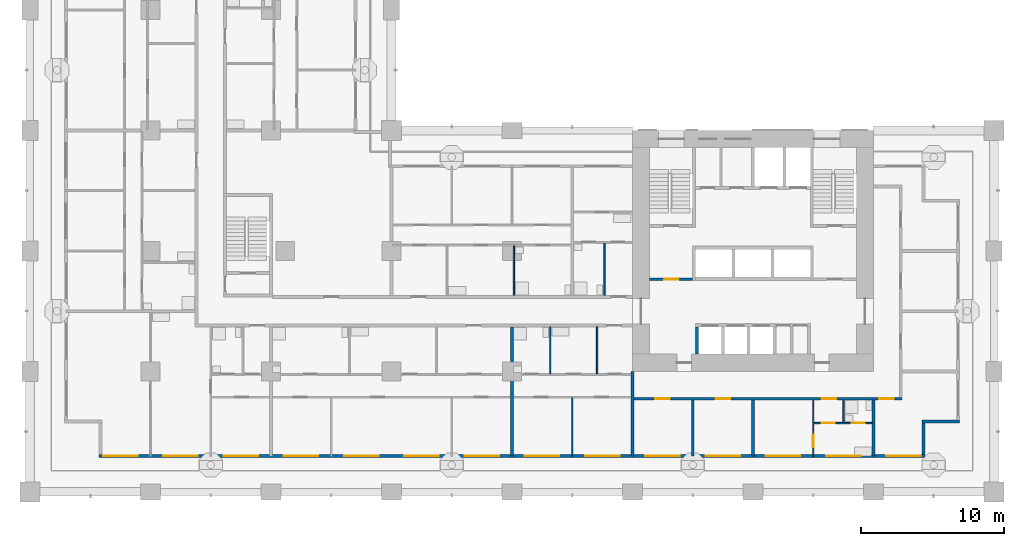
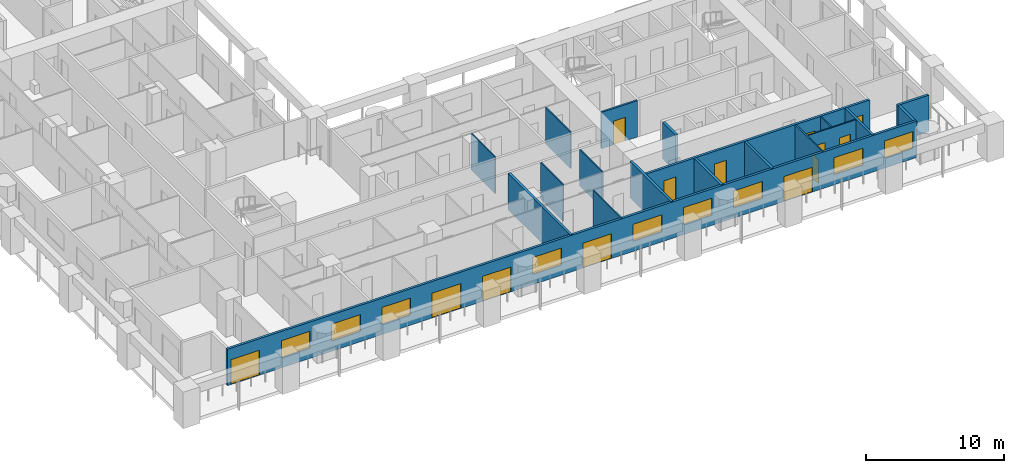
# One storey, part 5 of 20: 19 walls, 13 doors, 9 windows, 22 openings.
"""IFC4 building model written with IfcOpenShell, lengths in metres."""

from ifc_helpers import new_model, si_unit, direction, frame, frame_2d, origin, place, context, subcontext, project, spatial, rectangle, extrude, material, layer, layer_set, type_object, element, fill, save


model = new_model("IFC4")

# Units and contexts
model_context = context("Model", 3, precision=1e-05, world=origin(), true_north=direction((0.0, 1.0)))
body_context = subcontext(model_context, "Body", "Model", "MODEL_VIEW")
ifc_project = project(units=[si_unit("LENGTHUNIT", "METRE"), si_unit("AREAUNIT", "SQUARE_METRE"), si_unit("VOLUMEUNIT", "CUBIC_METRE"), si_unit("PLANEANGLEUNIT", "RADIAN"), si_unit("MASSUNIT", "GRAM", prefix="KILO")], contexts=[model_context])

# Site, building, storey
site_placement = place(None, origin())
site = spatial("IfcSite", under=ifc_project, at=site_placement, CompositionType="ELEMENT")
building_placement = place(site_placement, origin())
building = spatial("IfcBuilding", under=site, at=building_placement, Name="Vermilion Gate Residences", CompositionType="ELEMENT")
storey_placement = place(building_placement, frame((0.0, 0.0, 39.199951171875)))
storey = spatial("IfcBuildingStorey", under=building, at=storey_placement, Name="L08", CompositionType="ELEMENT", Elevation=39.199951171875)

# Wall, opening, door
ifc_material_1 = material(Name="Masonry blockwork", Category="masonry")
ifc_layer_1 = layer(ifc_material_1, 0.14990234375)
ifc_layer_set_1 = layer_set([ifc_layer_1], Name="BLOCKWORK PARTITION 150 EI 120")
wall_type_1 = type_object("IfcWallType", Name="BLOCKWORK PARTITION 150 EI 120", PredefinedType="PARTITIONING", material=ifc_layer_set_1)
wall_1_placement = place(storey_placement, frame((43.199951171875, 14.824951171875, 0.0), z_axis=(0.0, 0.0, 1.0), x_axis=(1.0, 0.0, 0.0)))
wall_1 = element("IfcWall", 1, at=wall_1_placement, inside=storey, type_object=wall_type_1, Name="Core room partition A08-VW-S", PredefinedType="PARTITIONING", context=body_context, shape_type="SweptSolid", body=[
    extrude(rectangle(XDim=3.0, YDim=0.14990234375, at=frame_2d((1.5, 0.0))), origin(), (0.0, 0.0, 1.0), 3.219970703125),
])
opening_1_placement = place(wall_1_placement, frame((1.0, 0.0, 0.0)))
opening_1 = element("IfcOpeningElement", 2, at=opening_1_placement, cuts=wall_1, Name="Opening DK08014", PredefinedType="OPENING", context=body_context, shape_type="SweptSolid", body=[
    extrude(rectangle(XDim=1.0, YDim=2.10009765625, at=frame_2d((0.5, 1.050048828125))), frame((0.0, 0.0849609375, 0.0), z_axis=(0.0, -1.0, 0.0), x_axis=(1.0, 0.0, 0.0)), (0.0, 0.0, 1.0), 0.169921875),
])
ifc_material_2 = material(Name="Steel", Category="steel")
door_type_1 = type_object("IfcDoorType", Name="FIRE DOOR FD60 1000 X 2100", OperationType="SINGLE_SWING_LEFT", PredefinedType="DOOR", material=ifc_material_2)
door_1_placement = place(opening_1_placement, frame((1.0, 0.0, 0.0), z_axis=(0.0, 0.0, 1.0), x_axis=(-1.0, 0.0, 0.0)))
door_1 = element("IfcDoor", 3, at=door_1_placement, inside=storey, type_object=door_type_1, Name="Stair vestibule door A08", OperationType="SINGLE_SWING_RIGHT", OverallHeight=2.10009765625, OverallWidth=1.0, PredefinedType="DOOR", context=body_context, shape_type="SweptSolid", body=[
    extrude(rectangle(XDim=1.0, YDim=2.10009765625, at=frame_2d((0.5, 1.050048828125))), frame((0.0, 0.02490234375, 0.0), z_axis=(0.0, -1.0, 0.0), x_axis=(1.0, 0.0, 0.0)), (0.0, 0.0, 1.0), 0.050048828125),
])
fill(opening_1, door_1)

# Wall, openings, doors, windows
ifc_material_3 = material(Name="Insulated steel stud wall with terracotta rainscreen", Category="masonry")
ifc_layer_2 = layer(ifc_material_3, 0.199951171875)
ifc_layer_set_2 = layer_set([ifc_layer_2], Name="EXTERNAL WALL 200 TERRACOTTA RAINSCREEN")
wall_type_2 = type_object("IfcWallType", Name="EXTERNAL WALL 200 TERRACOTTA RAINSCREEN", PredefinedType="SOLIDWALL", material=ifc_layer_set_2)
wall_2_placement = place(storey_placement, frame((4.800048828125, 2.5, 0.0), z_axis=(0.0, 0.0, 1.0), x_axis=(1.0, 0.0, 0.0)))
wall_2 = element("IfcWall", 4, at=wall_2_placement, inside=storey, type_object=wall_type_2, Name="External wall", PredefinedType="SOLIDWALL", context=body_context, shape_type="SweptSolid", body=[
    extrude(rectangle(XDim=57.599853515625, YDim=0.199951171875, at=frame_2d((28.7998046875, 0.0))), origin(), (0.0, 0.0, 1.0), 3.219970703125),
])
opening_2_placement = place(wall_2_placement, frame((0.300048828125, 0.0, 0.0)))
opening_2 = element("IfcOpeningElement", 5, at=opening_2_placement, cuts=wall_2, Name="Opening DE08014", PredefinedType="OPENING", context=body_context, shape_type="SweptSolid", body=[
    extrude(rectangle(XDim=2.39990234375, YDim=2.199951171875, at=frame_2d((1.199951171875, 1.10009765625))), frame((0.0, 0.10986328125, 0.0), z_axis=(0.0, -1.0, 0.0), x_axis=(1.0, 0.0, 0.0)), (0.0, 0.0, 1.0), 0.219970703125),
])
opening_3_placement = place(wall_2_placement, frame((4.5, 0.0, 0.89990234375)))
opening_3 = element("IfcOpeningElement", 6, at=opening_3_placement, cuts=wall_2, Name="Opening WE08015", PredefinedType="OPENING", context=body_context, shape_type="SweptSolid", body=[
    extrude(rectangle(XDim=2.39990234375, YDim=1.5, at=frame_2d((1.199951171875, 0.75))), frame((0.0, 0.10986328125, 0.0), z_axis=(0.0, -1.0, 0.0), x_axis=(1.0, 0.0, 0.0)), (0.0, 0.0, 1.0), 0.219970703125),
])
opening_4_placement = place(wall_2_placement, frame((8.699951171875, 0.0, 0.89990234375)))
opening_4 = element("IfcOpeningElement", 7, at=opening_4_placement, cuts=wall_2, Name="Opening WE08016", PredefinedType="OPENING", context=body_context, shape_type="SweptSolid", body=[
    extrude(rectangle(XDim=2.39990234375, YDim=1.5, at=frame_2d((1.199951171875, 0.75))), frame((0.0, 0.10986328125, 0.0), z_axis=(0.0, -1.0, 0.0), x_axis=(1.0, 0.0, 0.0)), (0.0, 0.0, 1.0), 0.219970703125),
])
opening_5_placement = place(wall_2_placement, frame((12.89990234375, 0.0, 0.89990234375)))
opening_5 = element("IfcOpeningElement", 8, at=opening_5_placement, cuts=wall_2, Name="Opening WE08017", PredefinedType="OPENING", context=body_context, shape_type="SweptSolid", body=[
    extrude(rectangle(XDim=2.39990234375, YDim=1.5, at=frame_2d((1.199951171875, 0.75))), frame((0.0, 0.10986328125, 0.0), z_axis=(0.0, -1.0, 0.0), x_axis=(1.0, 0.0, 0.0)), (0.0, 0.0, 1.0), 0.219970703125),
])
opening_6_placement = place(wall_2_placement, frame((17.10009765625, 0.0, 0.0)))
opening_6 = element("IfcOpeningElement", 9, at=opening_6_placement, cuts=wall_2, Name="Opening DE08018", PredefinedType="OPENING", context=body_context, shape_type="SweptSolid", body=[
    extrude(rectangle(XDim=2.39990234375, YDim=2.199951171875, at=frame_2d((1.199951171875, 1.10009765625))), frame((0.0, 0.10986328125, 0.0), z_axis=(0.0, -1.0, 0.0), x_axis=(1.0, 0.0, 0.0)), (0.0, 0.0, 1.0), 0.219970703125),
])
opening_7_placement = place(wall_2_placement, frame((21.300048828125, 0.0, 0.0)))
opening_7 = element("IfcOpeningElement", 10, at=opening_7_placement, cuts=wall_2, Name="Opening DE08019", PredefinedType="OPENING", context=body_context, shape_type="SweptSolid", body=[
    extrude(rectangle(XDim=2.39990234375, YDim=2.199951171875, at=frame_2d((1.199951171875, 1.10009765625))), frame((0.0, 0.10986328125, 0.0), z_axis=(0.0, -1.0, 0.0), x_axis=(1.0, 0.0, 0.0)), (0.0, 0.0, 1.0), 0.219970703125),
])
opening_8_placement = place(wall_2_placement, frame((25.5, 0.0, 0.89990234375)))
opening_8 = element("IfcOpeningElement", 11, at=opening_8_placement, cuts=wall_2, Name="Opening WE08020", PredefinedType="OPENING", context=body_context, shape_type="SweptSolid", body=[
    extrude(rectangle(XDim=2.39990234375, YDim=1.5, at=frame_2d((1.199951171875, 0.75))), frame((0.0, 0.10986328125, 0.0), z_axis=(0.0, -1.0, 0.0), x_axis=(1.0, 0.0, 0.0)), (0.0, 0.0, 1.0), 0.219970703125),
])
opening_9_placement = place(wall_2_placement, frame((29.699951171875, 0.0, 0.0)))
opening_9 = element("IfcOpeningElement", 12, at=opening_9_placement, cuts=wall_2, Name="Opening DE08021", PredefinedType="OPENING", context=body_context, shape_type="SweptSolid", body=[
    extrude(rectangle(XDim=2.39990234375, YDim=2.199951171875, at=frame_2d((1.199951171875, 1.10009765625))), frame((0.0, 0.10986328125, 0.0), z_axis=(0.0, -1.0, 0.0), x_axis=(1.0, 0.0, 0.0)), (0.0, 0.0, 1.0), 0.219970703125),
])
opening_10_placement = place(wall_2_placement, frame((33.89990234375, 0.0, 0.89990234375)))
opening_10 = element("IfcOpeningElement", 13, at=opening_10_placement, cuts=wall_2, Name="Opening WE08022", PredefinedType="OPENING", context=body_context, shape_type="SweptSolid", body=[
    extrude(rectangle(XDim=2.39990234375, YDim=1.5, at=frame_2d((1.199951171875, 0.75))), frame((0.0, 0.10986328125, 0.0), z_axis=(0.0, -1.0, 0.0), x_axis=(1.0, 0.0, 0.0)), (0.0, 0.0, 1.0), 0.219970703125),
])
opening_11_placement = place(wall_2_placement, frame((38.10009765625, 0.0, 0.89990234375)))
opening_11 = element("IfcOpeningElement", 14, at=opening_11_placement, cuts=wall_2, Name="Opening WE08023", PredefinedType="OPENING", context=body_context, shape_type="SweptSolid", body=[
    extrude(rectangle(XDim=2.39990234375, YDim=1.5, at=frame_2d((1.199951171875, 0.75))), frame((0.0, 0.10986328125, 0.0), z_axis=(0.0, -1.0, 0.0), x_axis=(1.0, 0.0, 0.0)), (0.0, 0.0, 1.0), 0.219970703125),
])
opening_12_placement = place(wall_2_placement, frame((42.300048828125, 0.0, 0.89990234375)))
opening_12 = element("IfcOpeningElement", 15, at=opening_12_placement, cuts=wall_2, Name="Opening WE08024", PredefinedType="OPENING", context=body_context, shape_type="SweptSolid", body=[
    extrude(rectangle(XDim=2.39990234375, YDim=1.5, at=frame_2d((1.199951171875, 0.75))), frame((0.0, 0.10986328125, 0.0), z_axis=(0.0, -1.0, 0.0), x_axis=(1.0, 0.0, 0.0)), (0.0, 0.0, 1.0), 0.219970703125),
])
opening_13_placement = place(wall_2_placement, frame((46.5, 0.0, 0.0)))
opening_13 = element("IfcOpeningElement", 16, at=opening_13_placement, cuts=wall_2, Name="Opening DE08025", PredefinedType="OPENING", context=body_context, shape_type="SweptSolid", body=[
    extrude(rectangle(XDim=2.39990234375, YDim=2.199951171875, at=frame_2d((1.199951171875, 1.10009765625))), frame((0.0, 0.10986328125, 0.0), z_axis=(0.0, -1.0, 0.0), x_axis=(1.0, 0.0, 0.0)), (0.0, 0.0, 1.0), 0.219970703125),
])
opening_14_placement = place(wall_2_placement, frame((50.699951171875, 0.0, 0.89990234375)))
opening_14 = element("IfcOpeningElement", 17, at=opening_14_placement, cuts=wall_2, Name="Opening WE08026", PredefinedType="OPENING", context=body_context, shape_type="SweptSolid", body=[
    extrude(rectangle(XDim=2.39990234375, YDim=1.5, at=frame_2d((1.199951171875, 0.75))), frame((0.0, 0.10986328125, 0.0), z_axis=(0.0, -1.0, 0.0), x_axis=(1.0, 0.0, 0.0)), (0.0, 0.0, 1.0), 0.219970703125),
])
opening_15_placement = place(wall_2_placement, frame((54.89990234375, 0.0, 0.89990234375)))
opening_15 = element("IfcOpeningElement", 18, at=opening_15_placement, cuts=wall_2, Name="Opening WE08027", PredefinedType="OPENING", context=body_context, shape_type="SweptSolid", body=[
    extrude(rectangle(XDim=2.39990234375, YDim=1.5, at=frame_2d((1.199951171875, 0.75))), frame((0.0, 0.10986328125, 0.0), z_axis=(0.0, -1.0, 0.0), x_axis=(1.0, 0.0, 0.0)), (0.0, 0.0, 1.0), 0.219970703125),
])
ifc_material_4 = material(Name="Aluminium and clear glass", Category="aluminium")
door_type_2 = type_object("IfcDoorType", Name="SLIDING GLAZED DOOR 2400 X 2200", OperationType="DOUBLE_DOOR_SLIDING", PredefinedType="DOOR", material=ifc_material_4)
door_2_placement = place(opening_2_placement, origin())
door_2 = element("IfcDoor", 19, at=door_2_placement, inside=storey, type_object=door_type_2, Name="Loggia sliding door", OperationType="DOUBLE_DOOR_SLIDING", OverallHeight=2.199951171875, OverallWidth=2.39990234375, PredefinedType="DOOR", context=body_context, shape_type="SweptSolid", body=[
    extrude(rectangle(XDim=2.39990234375, YDim=2.199951171875, at=frame_2d((1.199951171875, 1.10009765625))), frame((0.0, 0.02490234375, 0.0), z_axis=(0.0, -1.0, 0.0), x_axis=(1.0, 0.0, 0.0)), (0.0, 0.0, 1.0), 0.050048828125),
])
fill(opening_2, door_2)
door_3_placement = place(opening_6_placement, origin())
door_3 = element("IfcDoor", 20, at=door_3_placement, inside=storey, type_object=door_type_2, Name="Loggia sliding door", OperationType="DOUBLE_DOOR_SLIDING", OverallHeight=2.199951171875, OverallWidth=2.39990234375, PredefinedType="DOOR", context=body_context, shape_type="SweptSolid", body=[
    extrude(rectangle(XDim=2.39990234375, YDim=2.199951171875, at=frame_2d((1.199951171875, 1.10009765625))), frame((0.0, 0.02490234375, 0.0), z_axis=(0.0, -1.0, 0.0), x_axis=(1.0, 0.0, 0.0)), (0.0, 0.0, 1.0), 0.050048828125),
])
fill(opening_6, door_3)
door_4_placement = place(opening_7_placement, origin())
door_4 = element("IfcDoor", 21, at=door_4_placement, inside=storey, type_object=door_type_2, Name="Loggia sliding door", OperationType="DOUBLE_DOOR_SLIDING", OverallHeight=2.199951171875, OverallWidth=2.39990234375, PredefinedType="DOOR", context=body_context, shape_type="SweptSolid", body=[
    extrude(rectangle(XDim=2.39990234375, YDim=2.199951171875, at=frame_2d((1.199951171875, 1.10009765625))), frame((0.0, 0.02490234375, 0.0), z_axis=(0.0, -1.0, 0.0), x_axis=(1.0, 0.0, 0.0)), (0.0, 0.0, 1.0), 0.050048828125),
])
fill(opening_7, door_4)
door_5_placement = place(opening_9_placement, origin())
door_5 = element("IfcDoor", 22, at=door_5_placement, inside=storey, type_object=door_type_2, Name="Loggia sliding door", OperationType="DOUBLE_DOOR_SLIDING", OverallHeight=2.199951171875, OverallWidth=2.39990234375, PredefinedType="DOOR", context=body_context, shape_type="SweptSolid", body=[
    extrude(rectangle(XDim=2.39990234375, YDim=2.199951171875, at=frame_2d((1.199951171875, 1.10009765625))), frame((0.0, 0.02490234375, 0.0), z_axis=(0.0, -1.0, 0.0), x_axis=(1.0, 0.0, 0.0)), (0.0, 0.0, 1.0), 0.050048828125),
])
fill(opening_9, door_5)
door_6_placement = place(opening_13_placement, origin())
door_6 = element("IfcDoor", 23, at=door_6_placement, inside=storey, type_object=door_type_2, Name="Loggia sliding door", OperationType="DOUBLE_DOOR_SLIDING", OverallHeight=2.199951171875, OverallWidth=2.39990234375, PredefinedType="DOOR", context=body_context, shape_type="SweptSolid", body=[
    extrude(rectangle(XDim=2.39990234375, YDim=2.199951171875, at=frame_2d((1.199951171875, 1.10009765625))), frame((0.0, 0.02490234375, 0.0), z_axis=(0.0, -1.0, 0.0), x_axis=(1.0, 0.0, 0.0)), (0.0, 0.0, 1.0), 0.050048828125),
])
fill(opening_13, door_6)
ifc_material_5 = material(Name="Aluminium and clear glass", Category="aluminium")
window_type = type_object("IfcWindowType", Name="WINDOW 2400 X 1500", PartitioningType="SINGLE_PANEL", PredefinedType="WINDOW", material=ifc_material_5)
window_1_placement = place(opening_3_placement, origin())
window_1 = element("IfcWindow", 24, at=window_1_placement, inside=storey, type_object=window_type, Name="Window", OverallHeight=1.5, OverallWidth=2.39990234375, PartitioningType="SINGLE_PANEL", PredefinedType="WINDOW", context=body_context, shape_type="SweptSolid", body=[
    extrude(rectangle(XDim=2.39990234375, YDim=1.5, at=frame_2d((1.199951171875, 0.75))), frame((0.0, 0.030029296875, 0.0), z_axis=(0.0, -1.0, 0.0), x_axis=(1.0, 0.0, 0.0)), (0.0, 0.0, 1.0), 0.06005859375),
])
fill(opening_3, window_1)
window_2_placement = place(opening_4_placement, origin())
window_2 = element("IfcWindow", 25, at=window_2_placement, inside=storey, type_object=window_type, Name="Window", OverallHeight=1.5, OverallWidth=2.39990234375, PartitioningType="SINGLE_PANEL", PredefinedType="WINDOW", context=body_context, shape_type="SweptSolid", body=[
    extrude(rectangle(XDim=2.39990234375, YDim=1.5, at=frame_2d((1.199951171875, 0.75))), frame((0.0, 0.030029296875, 0.0), z_axis=(0.0, -1.0, 0.0), x_axis=(1.0, 0.0, 0.0)), (0.0, 0.0, 1.0), 0.06005859375),
])
fill(opening_4, window_2)
window_3_placement = place(opening_5_placement, origin())
window_3 = element("IfcWindow", 26, at=window_3_placement, inside=storey, type_object=window_type, Name="Window", OverallHeight=1.5, OverallWidth=2.39990234375, PartitioningType="SINGLE_PANEL", PredefinedType="WINDOW", context=body_context, shape_type="SweptSolid", body=[
    extrude(rectangle(XDim=2.39990234375, YDim=1.5, at=frame_2d((1.199951171875, 0.75))), frame((0.0, 0.030029296875, 0.0), z_axis=(0.0, -1.0, 0.0), x_axis=(1.0, 0.0, 0.0)), (0.0, 0.0, 1.0), 0.06005859375),
])
fill(opening_5, window_3)
window_4_placement = place(opening_8_placement, origin())
window_4 = element("IfcWindow", 27, at=window_4_placement, inside=storey, type_object=window_type, Name="Window", OverallHeight=1.5, OverallWidth=2.39990234375, PartitioningType="SINGLE_PANEL", PredefinedType="WINDOW", context=body_context, shape_type="SweptSolid", body=[
    extrude(rectangle(XDim=2.39990234375, YDim=1.5, at=frame_2d((1.199951171875, 0.75))), frame((0.0, 0.030029296875, 0.0), z_axis=(0.0, -1.0, 0.0), x_axis=(1.0, 0.0, 0.0)), (0.0, 0.0, 1.0), 0.06005859375),
])
fill(opening_8, window_4)
window_5_placement = place(opening_10_placement, origin())
window_5 = element("IfcWindow", 28, at=window_5_placement, inside=storey, type_object=window_type, Name="Window", OverallHeight=1.5, OverallWidth=2.39990234375, PartitioningType="SINGLE_PANEL", PredefinedType="WINDOW", context=body_context, shape_type="SweptSolid", body=[
    extrude(rectangle(XDim=2.39990234375, YDim=1.5, at=frame_2d((1.199951171875, 0.75))), frame((0.0, 0.030029296875, 0.0), z_axis=(0.0, -1.0, 0.0), x_axis=(1.0, 0.0, 0.0)), (0.0, 0.0, 1.0), 0.06005859375),
])
fill(opening_10, window_5)
window_6_placement = place(opening_11_placement, origin())
window_6 = element("IfcWindow", 29, at=window_6_placement, inside=storey, type_object=window_type, Name="Window", OverallHeight=1.5, OverallWidth=2.39990234375, PartitioningType="SINGLE_PANEL", PredefinedType="WINDOW", context=body_context, shape_type="SweptSolid", body=[
    extrude(rectangle(XDim=2.39990234375, YDim=1.5, at=frame_2d((1.199951171875, 0.75))), frame((0.0, 0.030029296875, 0.0), z_axis=(0.0, -1.0, 0.0), x_axis=(1.0, 0.0, 0.0)), (0.0, 0.0, 1.0), 0.06005859375),
])
fill(opening_11, window_6)
window_7_placement = place(opening_12_placement, origin())
window_7 = element("IfcWindow", 30, at=window_7_placement, inside=storey, type_object=window_type, Name="Window", OverallHeight=1.5, OverallWidth=2.39990234375, PartitioningType="SINGLE_PANEL", PredefinedType="WINDOW", context=body_context, shape_type="SweptSolid", body=[
    extrude(rectangle(XDim=2.39990234375, YDim=1.5, at=frame_2d((1.199951171875, 0.75))), frame((0.0, 0.030029296875, 0.0), z_axis=(0.0, -1.0, 0.0), x_axis=(1.0, 0.0, 0.0)), (0.0, 0.0, 1.0), 0.06005859375),
])
fill(opening_12, window_7)
window_8_placement = place(opening_14_placement, origin())
window_8 = element("IfcWindow", 31, at=window_8_placement, inside=storey, type_object=window_type, Name="Window", OverallHeight=1.5, OverallWidth=2.39990234375, PartitioningType="SINGLE_PANEL", PredefinedType="WINDOW", context=body_context, shape_type="SweptSolid", body=[
    extrude(rectangle(XDim=2.39990234375, YDim=1.5, at=frame_2d((1.199951171875, 0.75))), frame((0.0, 0.030029296875, 0.0), z_axis=(0.0, -1.0, 0.0), x_axis=(1.0, 0.0, 0.0)), (0.0, 0.0, 1.0), 0.06005859375),
])
fill(opening_14, window_8)
window_9_placement = place(opening_15_placement, origin())
window_9 = element("IfcWindow", 32, at=window_9_placement, inside=storey, type_object=window_type, Name="Window", OverallHeight=1.5, OverallWidth=2.39990234375, PartitioningType="SINGLE_PANEL", PredefinedType="WINDOW", context=body_context, shape_type="SweptSolid", body=[
    extrude(rectangle(XDim=2.39990234375, YDim=1.5, at=frame_2d((1.199951171875, 0.75))), frame((0.0, 0.030029296875, 0.0), z_axis=(0.0, -1.0, 0.0), x_axis=(1.0, 0.0, 0.0)), (0.0, 0.0, 1.0), 0.06005859375),
])
fill(opening_15, window_9)

# Walls
wall_3_placement = place(storey_placement, frame((62.300048828125, 2.60009765625, 0.0), z_axis=(0.0, 0.0, 1.0), x_axis=(0.0, 1.0, 0.0)))
element("IfcWall", 33, at=wall_3_placement, inside=storey, type_object=wall_type_2, Name="External wall", PredefinedType="SOLIDWALL", context=body_context, shape_type="SweptSolid", body=[
    extrude(rectangle(XDim=2.199951171875, YDim=0.199951171875, at=frame_2d((1.10009765625, 0.0))), origin(), (0.0, 0.0, 1.0), 3.219970703125),
])
wall_4_placement = place(storey_placement, frame((62.199951171875, 4.89990234375, 0.0), z_axis=(0.0, 0.0, 1.0), x_axis=(1.0, 0.0, 0.0)))
element("IfcWall", 34, at=wall_4_placement, inside=storey, type_object=wall_type_2, Name="External wall", PredefinedType="SOLIDWALL", context=body_context, shape_type="SweptSolid", body=[
    extrude(rectangle(XDim=2.60009765625, YDim=0.199951171875, at=frame_2d((1.300048828125, 0.0))), origin(), (0.0, 0.0, 1.0), 3.219970703125),
])

# Wall, openings, doors
ifc_material_6 = material(Name="Plasterboard on steel studs", Category="steel")
ifc_layer_3 = layer(ifc_material_6, 0.10009765625)
ifc_layer_set_3 = layer_set([ifc_layer_3], Name="PARTITION 100")
wall_type_3 = type_object("IfcWallType", Name="PARTITION 100", PredefinedType="PARTITIONING", material=ifc_layer_set_3)
wall_5_placement = place(storey_placement, frame((54.64990234375, 4.800048828125, 0.0), z_axis=(0.0, 0.0, 1.0), x_axis=(1.0, 0.0, 0.0)))
wall_5 = element("IfcWall", 35, at=wall_5_placement, inside=storey, type_object=wall_type_3, Name="Partition", PredefinedType="PARTITIONING", context=body_context, shape_type="SweptSolid", body=[
    extrude(rectangle(XDim=4.050048828125, YDim=0.10009765625, at=frame_2d((2.02490234375, 0.0))), origin(), (0.0, 0.0, 1.0), 3.219970703125),
])
opening_16_placement = place(wall_5_placement, frame((0.550048828125, 0.0, 0.0)))
opening_16 = element("IfcOpeningElement", 36, at=opening_16_placement, cuts=wall_5, Name="Opening DA07001", PredefinedType="OPENING", context=body_context, shape_type="SweptSolid", body=[
    extrude(rectangle(XDim=0.89990234375, YDim=2.10009765625, at=frame_2d((0.449951171875, 1.050048828125))), frame((0.0, 0.06005859375, 0.0), z_axis=(0.0, -1.0, 0.0), x_axis=(1.0, 0.0, 0.0)), (0.0, 0.0, 1.0), 0.1201171875),
])
opening_17_placement = place(wall_5_placement, frame((2.64990234375, 0.0, 0.0)))
opening_17 = element("IfcOpeningElement", 37, at=opening_17_placement, cuts=wall_5, Name="Opening DA07002", PredefinedType="OPENING", context=body_context, shape_type="SweptSolid", body=[
    extrude(rectangle(XDim=0.89990234375, YDim=2.10009765625, at=frame_2d((0.449951171875, 1.050048828125))), frame((0.0, 0.06005859375, 0.0), z_axis=(0.0, -1.0, 0.0), x_axis=(1.0, 0.0, 0.0)), (0.0, 0.0, 1.0), 0.1201171875),
])
ifc_material_7 = material(Name="Timber", Category="wood")
door_type_3 = type_object("IfcDoorType", Name="INTERIOR DOOR 900 X 2100", OperationType="SINGLE_SWING_LEFT", PredefinedType="DOOR", material=ifc_material_7)
door_7_placement = place(opening_16_placement, frame((0.89990234375, 0.0, 0.0), z_axis=(0.0, 0.0, 1.0), x_axis=(-1.0, 0.0, 0.0)))
door_7 = element("IfcDoor", 38, at=door_7_placement, inside=storey, type_object=door_type_3, Name="Interior door", OperationType="SINGLE_SWING_RIGHT", OverallHeight=2.10009765625, OverallWidth=0.89990234375, PredefinedType="DOOR", context=body_context, shape_type="SweptSolid", body=[
    extrude(rectangle(XDim=0.89990234375, YDim=2.10009765625, at=frame_2d((0.449951171875, 1.050048828125))), frame((0.0, 0.02490234375, 0.0), z_axis=(0.0, -1.0, 0.0), x_axis=(1.0, 0.0, 0.0)), (0.0, 0.0, 1.0), 0.050048828125),
])
fill(opening_16, door_7)
door_8_placement = place(opening_17_placement, origin())
door_8 = element("IfcDoor", 39, at=door_8_placement, inside=storey, type_object=door_type_3, Name="Interior door", OperationType="SINGLE_SWING_RIGHT", OverallHeight=2.10009765625, OverallWidth=0.89990234375, PredefinedType="DOOR", context=body_context, shape_type="SweptSolid", body=[
    extrude(rectangle(XDim=0.89990234375, YDim=2.10009765625, at=frame_2d((0.449951171875, 1.050048828125))), frame((0.0, 0.02490234375, 0.0), z_axis=(0.0, -1.0, 0.0), x_axis=(1.0, 0.0, 0.0)), (0.0, 0.0, 1.0), 0.050048828125),
])
fill(opening_17, door_8)

# Walls
wall_6_placement = place(storey_placement, frame((33.73291015625, 13.699951171875, 0.0), z_axis=(0.0, 0.0, 1.0), x_axis=(0.0, 1.0, 0.0)))
element("IfcWall", 40, at=wall_6_placement, inside=storey, type_object=wall_type_3, Name="Partition", PredefinedType="PARTITIONING", context=body_context, shape_type="SweptSolid", body=[
    extrude(rectangle(XDim=3.449951171875, YDim=0.10009765625, at=frame_2d((1.72509765625, 0.0))), origin(), (0.0, 0.0, 1.0), 3.219970703125),
])
wall_7_placement = place(storey_placement, frame((36.26708984375, 8.25, 0.0), z_axis=(0.0, 0.0, 1.0), x_axis=(0.0, 1.0, 0.0)))
element("IfcWall", 41, at=wall_7_placement, inside=storey, type_object=wall_type_3, Name="Partition", PredefinedType="PARTITIONING", context=body_context, shape_type="SweptSolid", body=[
    extrude(rectangle(XDim=3.25, YDim=0.10009765625, at=frame_2d((1.625, 0.0))), origin(), (0.0, 0.0, 1.0), 3.219970703125),
])
wall_8_placement = place(storey_placement, frame((37.800048828125, 2.5, 0.0), z_axis=(0.0, 0.0, 1.0), x_axis=(0.0, 1.0, 0.0)))
element("IfcWall", 42, at=wall_8_placement, inside=storey, type_object=wall_type_3, Name="Partition", PredefinedType="PARTITIONING", context=body_context, shape_type="SweptSolid", body=[
    extrude(rectangle(XDim=4.050048828125, YDim=0.10009765625, at=frame_2d((2.02490234375, 0.0))), origin(), (0.0, 0.0, 1.0), 3.219970703125),
])
wall_9_placement = place(storey_placement, frame((39.532958984375, 8.25, 0.0), z_axis=(0.0, 0.0, 1.0), x_axis=(0.0, 1.0, 0.0)))
element("IfcWall", 43, at=wall_9_placement, inside=storey, type_object=wall_type_3, Name="Partition", PredefinedType="PARTITIONING", context=body_context, shape_type="SweptSolid", body=[
    extrude(rectangle(XDim=3.25, YDim=0.10009765625, at=frame_2d((1.625, 0.0))), origin(), (0.0, 0.0, 1.0), 3.219970703125),
])
wall_10_placement = place(storey_placement, frame((40.0400390625, 13.699951171875, 0.0), z_axis=(0.0, 0.0, 1.0), x_axis=(0.0, 1.0, 0.0)))
element("IfcWall", 44, at=wall_10_placement, inside=storey, type_object=wall_type_3, Name="Partition", PredefinedType="PARTITIONING", context=body_context, shape_type="SweptSolid", body=[
    extrude(rectangle(XDim=3.650146484375, YDim=0.10009765625, at=frame_2d((1.8251953125, 0.0))), origin(), (0.0, 0.0, 1.0), 3.219970703125),
])

# Wall, opening, door
wall_11_placement = place(storey_placement, frame((54.60009765625, 2.5, 0.0), z_axis=(0.0, 0.0, 1.0), x_axis=(0.0, 1.0, 0.0)))
wall_11 = element("IfcWall", 45, at=wall_11_placement, inside=storey, type_object=wall_type_3, Name="Partition", PredefinedType="PARTITIONING", context=body_context, shape_type="SweptSolid", body=[
    extrude(rectangle(XDim=3.89990234375, YDim=0.10009765625, at=frame_2d((1.949951171875, 0.0))), origin(), (0.0, 0.0, 1.0), 3.219970703125),
])
opening_18_placement = place(wall_11_placement, frame((0.60009765625, 0.0, 0.0)))
opening_18 = element("IfcOpeningElement", 46, at=opening_18_placement, cuts=wall_11, Name="Opening DA07065", PredefinedType="OPENING", context=body_context, shape_type="SweptSolid", body=[
    extrude(rectangle(XDim=0.89990234375, YDim=2.10009765625, at=frame_2d((0.449951171875, 1.050048828125))), frame((0.0, 0.06005859375, 0.0), z_axis=(0.0, -1.0, 0.0), x_axis=(1.0, 0.0, 0.0)), (0.0, 0.0, 1.0), 0.1201171875),
])
door_9_placement = place(opening_18_placement, frame((0.89990234375, 0.0, 0.0), z_axis=(0.0, 0.0, 1.0), x_axis=(-1.0, 0.0, 0.0)))
door_9 = element("IfcDoor", 47, at=door_9_placement, inside=storey, type_object=door_type_3, Name="Interior door", OperationType="SINGLE_SWING_RIGHT", OverallHeight=2.10009765625, OverallWidth=0.89990234375, PredefinedType="DOOR", context=body_context, shape_type="SweptSolid", body=[
    extrude(rectangle(XDim=0.89990234375, YDim=2.10009765625, at=frame_2d((0.449951171875, 1.050048828125))), frame((0.0, 0.02490234375, 0.0), z_axis=(0.0, -1.0, 0.0), x_axis=(1.0, 0.0, 0.0)), (0.0, 0.0, 1.0), 0.050048828125),
])
fill(opening_18, door_9)

# Wall
wall_12_placement = place(storey_placement, frame((56.699951171875, 4.85009765625, 0.0), z_axis=(0.0, 0.0, 1.0), x_axis=(0.0, 1.0, 0.0)))
element("IfcWall", 48, at=wall_12_placement, inside=storey, type_object=wall_type_3, Name="Partition", PredefinedType="PARTITIONING", context=body_context, shape_type="SweptSolid", body=[
    extrude(rectangle(XDim=1.5498046875, YDim=0.10009765625, at=frame_2d((0.77490234375, 0.0))), origin(), (0.0, 0.0, 1.0), 3.219970703125),
])

# Wall, openings, doors
ifc_material_8 = material(Name="Fire-rated plasterboard on steel studs", Category="steel")
ifc_layer_4 = layer(ifc_material_8, 0.199951171875)
ifc_layer_set_4 = layer_set([ifc_layer_4], Name="PARTY WALL 200 EI 120")
wall_type_4 = type_object("IfcWallType", Name="PARTY WALL 200 EI 120", PredefinedType="PARTITIONING", material=ifc_layer_set_4)
wall_13_placement = place(storey_placement, frame((42.10009765625, 6.5, 0.0), z_axis=(0.0, 0.0, 1.0), x_axis=(1.0, 0.0, 0.0)))
wall_13 = element("IfcWall", 49, at=wall_13_placement, inside=storey, type_object=wall_type_4, Name="Party and corridor wall", PredefinedType="PARTITIONING", context=body_context, shape_type="SweptSolid", body=[
    extrude(rectangle(XDim=18.699951171875, YDim=0.199951171875, at=frame_2d((9.35009765625, 0.0))), origin(), (0.0, 0.0, 1.0), 3.219970703125),
])
opening_19_placement = place(wall_13_placement, frame((1.5, 0.0, 0.0)))
opening_19 = element("IfcOpeningElement", 50, at=opening_19_placement, cuts=wall_13, Name="Opening DA07003", PredefinedType="OPENING", context=body_context, shape_type="SweptSolid", body=[
    extrude(rectangle(XDim=1.0, YDim=2.10009765625, at=frame_2d((0.5, 1.050048828125))), frame((0.0, 0.10986328125, 0.0), z_axis=(0.0, -1.0, 0.0), x_axis=(1.0, 0.0, 0.0)), (0.0, 0.0, 1.0), 0.219970703125),
])
opening_20_placement = place(wall_13_placement, frame((5.699951171875, 0.0, 0.0)))
opening_20 = element("IfcOpeningElement", 51, at=opening_20_placement, cuts=wall_13, Name="Opening DA07004", PredefinedType="OPENING", context=body_context, shape_type="SweptSolid", body=[
    extrude(rectangle(XDim=1.0, YDim=2.10009765625, at=frame_2d((0.5, 1.050048828125))), frame((0.0, 0.10986328125, 0.0), z_axis=(0.0, -1.0, 0.0), x_axis=(1.0, 0.0, 0.0)), (0.0, 0.0, 1.0), 0.219970703125),
])
opening_21_placement = place(wall_13_placement, frame((13.10009765625, 0.0, 0.0)))
opening_21 = element("IfcOpeningElement", 52, at=opening_21_placement, cuts=wall_13, Name="Opening DA07005", PredefinedType="OPENING", context=body_context, shape_type="SweptSolid", body=[
    extrude(rectangle(XDim=1.0, YDim=2.10009765625, at=frame_2d((0.5, 1.050048828125))), frame((0.0, 0.10986328125, 0.0), z_axis=(0.0, -1.0, 0.0), x_axis=(1.0, 0.0, 0.0)), (0.0, 0.0, 1.0), 0.219970703125),
])
opening_22_placement = place(wall_13_placement, frame((17.10009765625, 0.0, 0.0)))
opening_22 = element("IfcOpeningElement", 53, at=opening_22_placement, cuts=wall_13, Name="Opening DA07006", PredefinedType="OPENING", context=body_context, shape_type="SweptSolid", body=[
    extrude(rectangle(XDim=1.0, YDim=2.10009765625, at=frame_2d((0.5, 1.050048828125))), frame((0.0, 0.10986328125, 0.0), z_axis=(0.0, -1.0, 0.0), x_axis=(1.0, 0.0, 0.0)), (0.0, 0.0, 1.0), 0.219970703125),
])
ifc_material_9 = material(Name="Steel", Category="steel")
door_type_4 = type_object("IfcDoorType", Name="ENTRANCE DOOR 1000 X 2100 FD30", OperationType="SINGLE_SWING_LEFT", PredefinedType="DOOR", material=ifc_material_9)
door_10_placement = place(opening_19_placement, frame((1.0, 0.0, 0.0), z_axis=(0.0, 0.0, 1.0), x_axis=(-1.0, 0.0, 0.0)))
door_10 = element("IfcDoor", 54, at=door_10_placement, inside=storey, type_object=door_type_4, Name="Entrance door", OperationType="SINGLE_SWING_RIGHT", OverallHeight=2.10009765625, OverallWidth=1.0, PredefinedType="DOOR", context=body_context, shape_type="SweptSolid", body=[
    extrude(rectangle(XDim=1.0, YDim=2.10009765625, at=frame_2d((0.5, 1.050048828125))), frame((0.0, 0.02490234375, 0.0), z_axis=(0.0, -1.0, 0.0), x_axis=(1.0, 0.0, 0.0)), (0.0, 0.0, 1.0), 0.050048828125),
])
fill(opening_19, door_10)
door_11_placement = place(opening_20_placement, frame((1.0, 0.0, 0.0), z_axis=(0.0, 0.0, 1.0), x_axis=(-1.0, 0.0, 0.0)))
door_11 = element("IfcDoor", 55, at=door_11_placement, inside=storey, type_object=door_type_4, Name="Entrance door", OperationType="SINGLE_SWING_LEFT", OverallHeight=2.10009765625, OverallWidth=1.0, PredefinedType="DOOR", context=body_context, shape_type="SweptSolid", body=[
    extrude(rectangle(XDim=1.0, YDim=2.10009765625, at=frame_2d((0.5, 1.050048828125))), frame((0.0, 0.02490234375, 0.0), z_axis=(0.0, -1.0, 0.0), x_axis=(1.0, 0.0, 0.0)), (0.0, 0.0, 1.0), 0.050048828125),
])
fill(opening_20, door_11)
door_12_placement = place(opening_21_placement, frame((1.0, 0.0, 0.0), z_axis=(0.0, 0.0, 1.0), x_axis=(-1.0, 0.0, 0.0)))
door_12 = element("IfcDoor", 56, at=door_12_placement, inside=storey, type_object=door_type_4, Name="Entrance door", OperationType="SINGLE_SWING_LEFT", OverallHeight=2.10009765625, OverallWidth=1.0, PredefinedType="DOOR", context=body_context, shape_type="SweptSolid", body=[
    extrude(rectangle(XDim=1.0, YDim=2.10009765625, at=frame_2d((0.5, 1.050048828125))), frame((0.0, 0.02490234375, 0.0), z_axis=(0.0, -1.0, 0.0), x_axis=(1.0, 0.0, 0.0)), (0.0, 0.0, 1.0), 0.050048828125),
])
fill(opening_21, door_12)
door_13_placement = place(opening_22_placement, frame((1.0, 0.0, 0.0), z_axis=(0.0, 0.0, 1.0), x_axis=(-1.0, 0.0, 0.0)))
door_13 = element("IfcDoor", 57, at=door_13_placement, inside=storey, type_object=door_type_4, Name="Entrance door", OperationType="SINGLE_SWING_RIGHT", OverallHeight=2.10009765625, OverallWidth=1.0, PredefinedType="DOOR", context=body_context, shape_type="SweptSolid", body=[
    extrude(rectangle(XDim=1.0, YDim=2.10009765625, at=frame_2d((0.5, 1.050048828125))), frame((0.0, 0.02490234375, 0.0), z_axis=(0.0, -1.0, 0.0), x_axis=(1.0, 0.0, 0.0)), (0.0, 0.0, 1.0), 0.050048828125),
])
fill(opening_22, door_13)

# Walls
wall_14_placement = place(storey_placement, frame((33.60009765625, 2.5, 0.0), z_axis=(0.0, 0.0, 1.0), x_axis=(0.0, 1.0, 0.0)))
element("IfcWall", 58, at=wall_14_placement, inside=storey, type_object=wall_type_4, Name="Party and corridor wall", PredefinedType="PARTITIONING", context=body_context, shape_type="SweptSolid", body=[
    extrude(rectangle(XDim=9.0, YDim=0.199951171875, at=frame_2d((4.5, 0.0))), origin(), (0.0, 0.0, 1.0), 3.219970703125),
])
wall_15_placement = place(storey_placement, frame((42.0, 2.5, 0.0), z_axis=(0.0, 0.0, 1.0), x_axis=(0.0, 1.0, 0.0)))
element("IfcWall", 59, at=wall_15_placement, inside=storey, type_object=wall_type_4, Name="Party and corridor wall", PredefinedType="PARTITIONING", context=body_context, shape_type="SweptSolid", body=[
    extrude(rectangle(XDim=5.89990234375, YDim=0.199951171875, at=frame_2d((2.949951171875, 0.0))), origin(), (0.0, 0.0, 1.0), 3.219970703125),
])
for number, where, z_axis, x_axis, name in (
    (60, (46.199951171875, 2.5, 0.0), (0.0, 0.0, 1.0), (0.0, 1.0, 0.0), "Party and corridor wall"),
    (61, (50.39990234375, 2.5, 0.0), (0.0, 0.0, 1.0), (0.0, 1.0, 0.0), "Party and corridor wall"),
    (62, (58.800048828125, 2.5, 0.0), (0.0, 0.0, 1.0), (0.0, 1.0, 0.0), "Party and corridor wall"),
):
    element("IfcWall", number, at=place(storey_placement, frame(where, z_axis=z_axis, x_axis=x_axis)), inside=storey, type_object=wall_type_4, Name=name, PredefinedType="PARTITIONING", context=body_context, shape_type="SweptSolid", body=[
        extrude(rectangle(XDim=3.89990234375, YDim=0.199951171875, at=frame_2d((1.949951171875, 0.0))), origin(), (0.0, 0.0, 1.0), 3.219970703125),
    ])
ifc_material_10 = material(Name="Concrete C60", Category="concrete")
ifc_layer_5 = layer(ifc_material_10, 0.199951171875)
ifc_layer_set_5 = layer_set([ifc_layer_5], Name="RC CORE INTERNAL WALL 200 C60")
wall_type_5 = type_object("IfcWallType", Name="RC CORE INTERNAL WALL 200 C60", PredefinedType="SHEAR", material=ifc_layer_set_5)
wall_16_placement = place(storey_placement, frame((46.5, 9.60009765625, 0.0), z_axis=(0.0, 0.0, 1.0), x_axis=(0.0, 1.0, 0.0)))
element("IfcWall", 63, at=wall_16_placement, inside=storey, type_object=wall_type_5, Name="Core internal wall A08-LR-D0", PredefinedType="SHEAR", context=body_context, shape_type="SweptSolid", body=[
    extrude(rectangle(XDim=1.89990234375, YDim=0.199951171875, at=frame_2d((0.949951171875, 0.0))), origin(), (0.0, 0.0, 1.0), 3.219970703125),
])

save(model, "model.ifc")
